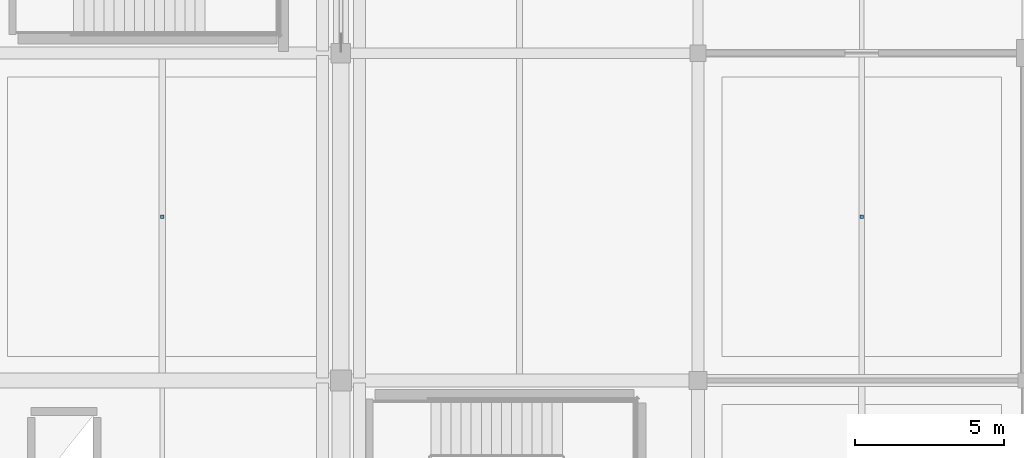
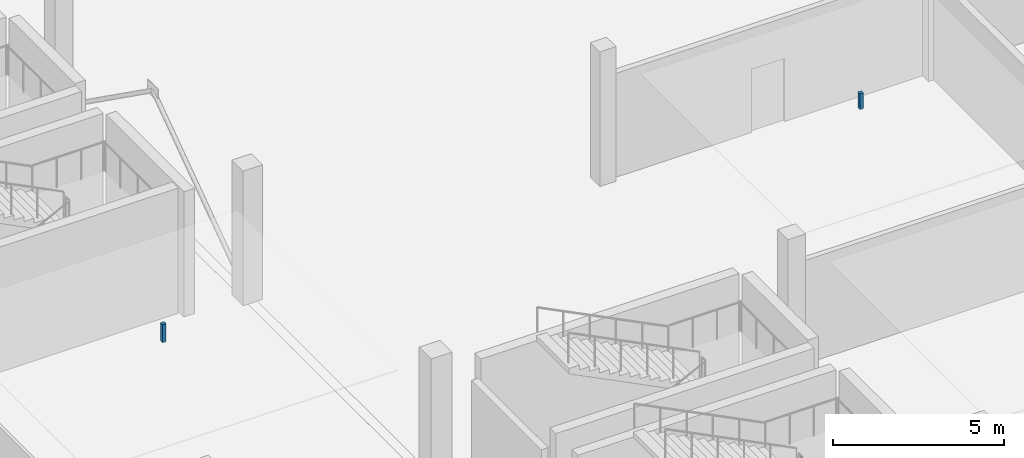
# One storey, part 115 of 143: 2 discrete accessories.
"""IFC4 building model written with IfcOpenShell, lengths in metres."""

import ifcopenshell
import ifcopenshell.guid

model = None  # the IFC model being written
_history = None  # IfcOwnerHistory: only IFC2X3 demands one
_inside = {}  # id of a spatial element -> (the spatial element, [elements in it])
_under = {}  # id of a project, library or spatial element -> (it, [spatial elements below it])
_declared = {}  # id of a project -> (the project, [libraries it declares])
_typed = {}  # id of a type object -> (the type object, [elements of that type])
_made_of = {}  # id of a material, layer set ... -> (it, [elements and type objects made of it])


def new_model(schema):
    """Start an empty IFC model of exactly this schema.

    Asked for "IFC4X3", IfcOpenShell would pick the latest addendum, in which some entities
    have other attributes; the version numbers below select the first issue.
    IFC2X3 requires an IfcOwnerHistory on every rooted entity: one is made here for all.
    """
    global model, _history
    if schema == "IFC4X3":
        model = ifcopenshell.file(schema_version=(4, 3, 0, 0))
    else:
        model = ifcopenshell.file(schema=schema)
    _inside.clear()
    _under.clear()
    _declared.clear()
    _typed.clear()
    _made_of.clear()
    _history = None
    if model.schema == "IFC2X3":
        org = make("IfcOrganization", Name="unknown")
        user = make(
            "IfcPersonAndOrganization",
            ThePerson=make("IfcPerson", FamilyName="unknown"),
            TheOrganization=org,
        )
        app = make(
            "IfcApplication",
            ApplicationDeveloper=org,
            Version="unknown",
            ApplicationFullName="unknown",
            ApplicationIdentifier="unknown",
        )
        _history = make(
            "IfcOwnerHistory",
            OwningUser=user,
            OwningApplication=app,
            ChangeAction="ADDED",
            CreationDate=0,
        )
    return model


def make(cls, **values):
    """One entity of the class cls with the attributes given. An attribute that is None is left unset."""
    return model.create_entity(
        cls, **{name: value for name, value in values.items() if value is not None}
    )


def rooted(cls, **values):
    """An entity with a GlobalId (a new one), such as an element, a storey or a relation."""
    return make(cls, GlobalId=ifcopenshell.guid.new(), OwnerHistory=_history, **values)


def si_unit(unit_type, name, prefix=None):
    """IfcSIUnit, for example si_unit("LENGTHUNIT", "METRE", prefix="MILLI")."""
    return make("IfcSIUnit", UnitType=unit_type, Prefix=prefix, Name=name)


def assignment(units):
    """IfcUnitAssignment: the units of a project."""
    return None if units is None else make("IfcUnitAssignment", Units=units)


def point(xyz):
    """IfcCartesianPoint."""
    return None if xyz is None else make("IfcCartesianPoint", Coordinates=xyz)


def direction(xyz):
    """IfcDirection."""
    return None if xyz is None else make("IfcDirection", DirectionRatios=xyz)


def frame(location, z_axis=None, x_axis=None):
    """IfcAxis2Placement3D, a coordinate frame: its origin and axes. An axis left out is left unset."""
    return make(
        "IfcAxis2Placement3D",
        Location=point(location),
        Axis=direction(z_axis),
        RefDirection=direction(x_axis),
    )


def frame_2d(location, x_axis=None):
    """IfcAxis2Placement2D, a coordinate frame in the plane: its origin and x axis."""
    return make(
        "IfcAxis2Placement2D", Location=point(location), RefDirection=direction(x_axis)
    )


def origin():
    """The frame at (0, 0, 0) with its axes left unset."""
    return frame((0.0, 0.0, 0.0))


def origin_2d():
    """The frame at (0, 0) in the plane with its x axis left unset."""
    return frame_2d((0.0, 0.0))


def place(relative_to, where):
    """IfcLocalPlacement: puts the frame where relative to a parent placement (None: the world)."""
    return make(
        "IfcLocalPlacement", PlacementRelTo=relative_to, RelativePlacement=where
    )


def context(
    kind, dimensions, precision=None, world=None, true_north=None, identifier=None
):
    """IfcGeometricRepresentationContext, for example the 3D "Model" context."""
    return make(
        "IfcGeometricRepresentationContext",
        ContextIdentifier=identifier,
        ContextType=kind,
        CoordinateSpaceDimension=dimensions,
        Precision=precision,
        WorldCoordinateSystem=world,
        TrueNorth=true_north,
    )


def subcontext(parent, identifier, kind, view, scale=None):
    """IfcGeometricRepresentationSubContext, for example "Body" below "Model"."""
    return make(
        "IfcGeometricRepresentationSubContext",
        ContextIdentifier=identifier,
        ContextType=kind,
        ParentContext=parent,
        TargetScale=scale,
        TargetView=view,
    )


def project(units=None, contexts=None):
    """IfcProject with its units and contexts."""
    return rooted(
        "IfcProject",
        Name="project",
        RepresentationContexts=contexts,
        UnitsInContext=assignment(units),
    )


def spatial(cls, under=None, at=None, **own):
    """A site, building, storey or space (cls), placed at a placement, below another one or the project."""
    s = rooted(cls, ObjectPlacement=at, **own)
    if under is not None:
        _under.setdefault(under.id(), (under, []))[1].append(s)
    return s


def profile(cls, at=None, kind="AREA", **sizes):
    """A parametric profile (cls). Its sizes go by their IFC names, for example OverallWidth=200.0."""
    return make(cls, ProfileType=kind, Position=at, **sizes)


def rectangle(**sizes):
    """IfcRectangleProfileDef."""
    return profile("IfcRectangleProfileDef", **sizes)


def extrude(swept, where, along, depth):
    """IfcExtrudedAreaSolid: the profile swept, set in the frame where, extruded along a direction by depth."""
    return make(
        "IfcExtrudedAreaSolid",
        SweptArea=swept,
        Position=where,
        ExtrudedDirection=direction(along),
        Depth=depth,
    )


def shape(context_of_items, identifier, shape_type, items):
    """IfcShapeRepresentation: the items that make up one representation, for example the "Body"."""
    return make(
        "IfcShapeRepresentation",
        ContextOfItems=context_of_items,
        RepresentationIdentifier=identifier,
        RepresentationType=shape_type,
        Items=items,
    )


def material(Name=None, Category=None):
    """IfcMaterial."""
    return make("IfcMaterial", Name=Name, Category=Category)


def layer(
    of_material, thickness, ventilated=None, Name=None, Category=None, Priority=None
):
    """IfcMaterialLayer: one layer of a wall or slab, of a material (None: an air gap)."""
    return make(
        "IfcMaterialLayer",
        Material=of_material,
        LayerThickness=thickness,
        IsVentilated=ventilated,
        Name=Name,
        Category=Category,
        Priority=Priority,
    )


def layer_set(layers, Name=None):
    """IfcMaterialLayerSet."""
    return make("IfcMaterialLayerSet", MaterialLayers=layers, LayerSetName=Name)


def made_of(thing, what):
    """Note that an element or type object is made of a material, layer set ...; save() writes the relation."""
    if what is not None:
        _made_of.setdefault(what.id(), (what, []))[1].append(thing)
    return thing


def type_object(cls, material=None, **own):
    """A type object (cls), such as IfcWallType, which elements share."""
    return made_of(rooted(cls, **own), material)


def element(
    cls,
    number,
    at=None,
    inside=None,
    cuts=None,
    type_object=None,
    material=None,
    context=None,
    identifier="Body",
    shape_type=None,
    held_by="IfcProductDefinitionShape",
    body=None,
    shapes=None,
    **own,
):
    """One element of the class cls, such as IfcWall. Its Tag is "e" and its number.

    at: its placement. inside: the storey or other place that contains it. cuts: it is an
    opening in that element (IfcRelVoidsElement). A single representation is given by context,
    identifier, shape_type and body (its items); several are given by shapes. held_by: the class
    of the entity that holds the representations. save() writes the other relations.
    """
    e = rooted(cls, Tag="e%d" % number, ObjectPlacement=at, **own)
    if body is not None:
        shapes = [shape(context, identifier, shape_type, body)]
    if shapes is not None:
        e.Representation = make(held_by, Representations=shapes)
    if inside is not None:
        _inside.setdefault(inside.id(), (inside, []))[1].append(e)
    if cuts is not None:
        rooted(
            "IfcRelVoidsElement", RelatingBuildingElement=cuts, RelatedOpeningElement=e
        )
    if type_object is not None:
        _typed.setdefault(type_object.id(), (type_object, []))[1].append(e)
    return made_of(e, material)


def aggregate(whole, parts):
    """IfcRelAggregates: a whole, such as a stair, and the parts it consists of."""
    return rooted("IfcRelAggregates", RelatingObject=whole, RelatedObjects=parts)


def save(model, path):
    """Write the relations noted so far, then the file.

    IfcRelAggregates (storeys below a building ...), IfcRelContainedInSpatialStructure (elements
    in a storey), IfcRelDefinesByType, IfcRelAssociatesMaterial and IfcRelDeclares: one each for
    every whole, place, type object, material and project.
    """
    for whole, parts in _under.values():
        aggregate(whole, parts)
    for where, things in _inside.values():
        rooted(
            "IfcRelContainedInSpatialStructure",
            RelatedElements=things,
            RelatingStructure=where,
        )
    for kind, things in _typed.values():
        rooted("IfcRelDefinesByType", RelatedObjects=things, RelatingType=kind)
    for what, things in _made_of.values():
        rooted("IfcRelAssociatesMaterial", RelatedObjects=things, RelatingMaterial=what)
    for by, libraries in _declared.values():
        rooted("IfcRelDeclares", RelatingContext=by, RelatedDefinitions=libraries)
    model.write(path)


model = new_model("IFC4")

# Units and contexts
model_context = context("Model", 3, precision=1e-05, world=origin(), true_north=direction((0.0, 1.0)))
body_context = subcontext(model_context, "Body", "Model", "MODEL_VIEW")
ifc_project = project(units=[si_unit("LENGTHUNIT", "METRE"), si_unit("AREAUNIT", "SQUARE_METRE"), si_unit("VOLUMEUNIT", "CUBIC_METRE"), si_unit("PLANEANGLEUNIT", "RADIAN"), si_unit("MASSUNIT", "GRAM", prefix="KILO")], contexts=[model_context])

# Site, building, storey
site_placement = place(None, origin())
site = spatial("IfcSite", under=ifc_project, at=site_placement, CompositionType="ELEMENT")
building_placement = place(site_placement, origin())
building = spatial("IfcBuilding", under=site, at=building_placement, Name="Luwafu Chhajja Arena", CompositionType="ELEMENT")
storey_placement = place(building_placement, frame((0.0, 0.0, 5.39990234375)))
storey = spatial("IfcBuildingStorey", under=building, at=storey_placement, Name="L01", CompositionType="ELEMENT", Elevation=5.39990234375)

# Discrete accessories
ifc_material = material(Name="Stainless steel bracket", Category="steel")
ifc_layer = layer(ifc_material, 0.179931640625, Name="Stainless steel bracket")
ifc_layer_set = layer_set([ifc_layer], Name="Stainless steel bracket")
discrete_accessory_type = type_object("IfcDiscreteAccessoryType", Name="Stainless Steel Facade Support Bracket", PredefinedType="BRACKET", material=ifc_layer_set)
discrete_accessory_1_placement = place(storey_placement, frame((158.0, 71.5, 3.86279296875), z_axis=(0.0, 0.0, 1.0), x_axis=(1.0, 0.0, 0.0)))
element("IfcDiscreteAccessory", 1, at=discrete_accessory_1_placement, inside=storey, type_object=discrete_accessory_type, Name="L01 Ceiling Suspension Hanger 037", PredefinedType="BRACKET", context=body_context, shape_type="SweptSolid", body=[
    extrude(rectangle(XDim=0.1201171875, YDim=0.1201171875, at=origin_2d()), origin(), (0.0, 0.0, 1.0), 0.647216796875),
])
discrete_accessory_2_placement = place(storey_placement, frame((181.5, 71.5, 3.94140625), z_axis=(0.0, 0.0, 1.0), x_axis=(1.0, 0.0, 0.0)))
element("IfcDiscreteAccessory", 2, at=discrete_accessory_2_placement, inside=storey, type_object=discrete_accessory_type, Name="L01 Ceiling Suspension Hanger 040", PredefinedType="BRACKET", context=body_context, shape_type="SweptSolid", body=[
    extrude(rectangle(XDim=0.1201171875, YDim=0.1201171875, at=origin_2d()), origin(), (0.0, 0.0, 1.0), 0.568603515625),
])

save(model, "model.ifc")
